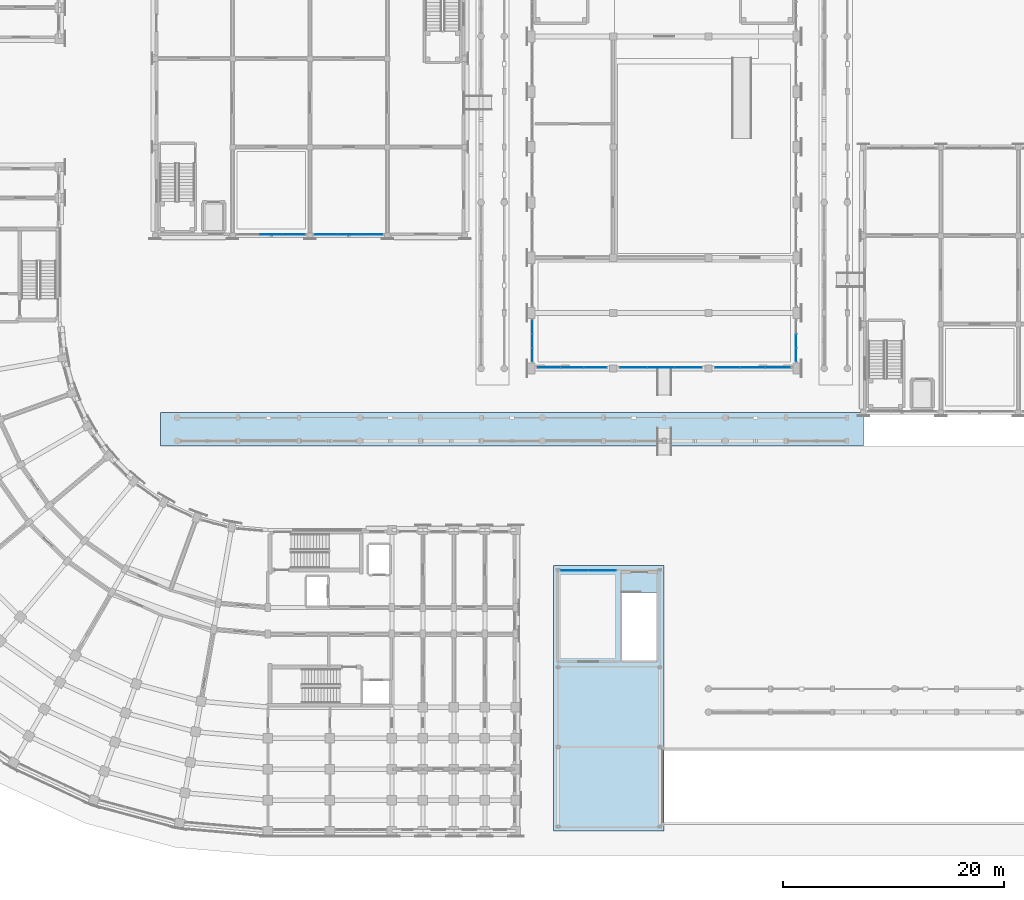
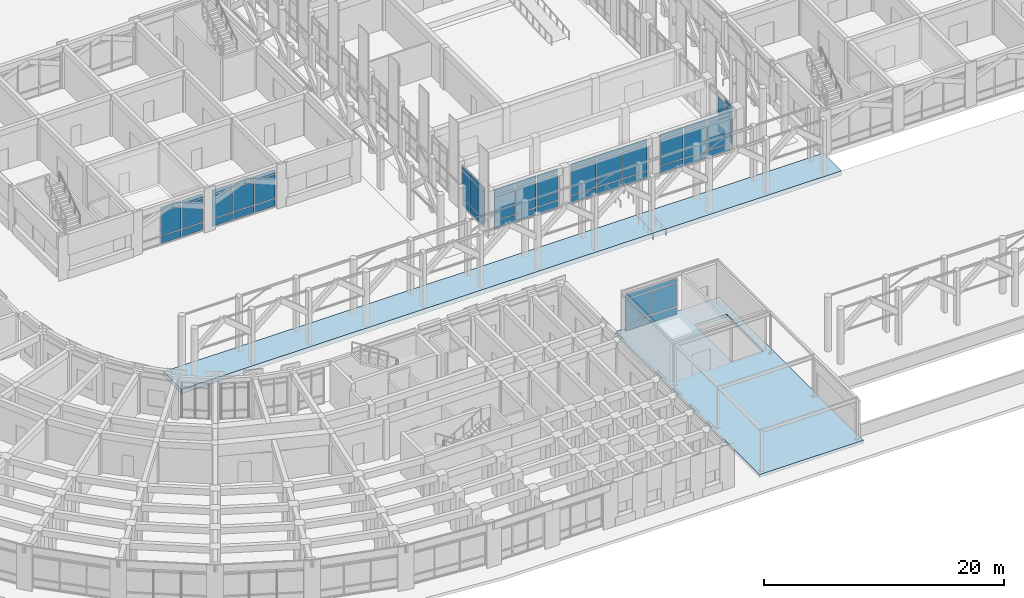
# One storey, part 60 of 135: 62 plates, 2 slabs, 8 elements without a shape of their own.
"""IFC4 building model written with IfcOpenShell, lengths in metres."""

from ifc_helpers import new_model, si_unit, direction, frame, origin, origin_2d, place, context, subcontext, project, spatial, polyline, rectangle, outline, extrude, material, layer, layer_set, type_object, element, aggregate, save


model = new_model("IFC4")

# Units and contexts
model_context = context("Model", 3, precision=1e-05, world=origin(), true_north=direction((0.0, 1.0)))
body_context = subcontext(model_context, "Body", "Model", "MODEL_VIEW")
ifc_project = project(units=[si_unit("LENGTHUNIT", "METRE"), si_unit("AREAUNIT", "SQUARE_METRE"), si_unit("VOLUMEUNIT", "CUBIC_METRE"), si_unit("PLANEANGLEUNIT", "RADIAN"), si_unit("MASSUNIT", "GRAM", prefix="KILO")], contexts=[model_context])

# Site, building, storey
site_placement = place(None, origin())
site = spatial("IfcSite", under=ifc_project, at=site_placement, CompositionType="ELEMENT")
building_placement = place(site_placement, origin())
building = spatial("IfcBuilding", under=site, at=building_placement, Name="Kiranvali Square Residences", CompositionType="ELEMENT")
storey_placement = place(building_placement, origin())
storey = spatial("IfcBuildingStorey", under=building, at=storey_placement, Name="L00", CompositionType="ELEMENT", Elevation=0.0)

# Curtain wall, plates
ifc_material_1 = material(Name="Anodised bronze aluminium framing", Category="aluminium")
curtain_wall_type_1 = type_object("IfcCurtainWallType", Name="CW-CH-GLZ", PredefinedType="USERDEFINED", material=ifc_material_1)
curtain_wall_1_placement = place(storey_placement, origin())
curtain_wall_1 = element("IfcCurtainWall", 1, at=curtain_wall_1_placement, inside=storey, type_object=curtain_wall_type_1, Name="Community Hall L00 W glazed arcade bay 1", ObjectType="CURTAIN WALL", PredefinedType="USERDEFINED")
ifc_material_2 = material(Name="Solar-control low-e double glazing", Category="glass")
ifc_layer_1 = layer(ifc_material_2, 0.028076171875)
ifc_layer_set_1 = layer_set([ifc_layer_1], Name="Solar-control low-e double glazing")
plate_type_1 = type_object("IfcPlateType", Name="PLT-CW-GLZ", PredefinedType="CURTAIN_PANEL", material=ifc_layer_set_1)
plate_1_placement = place(storey_placement, frame((72.080078125, 45.25341796875, 0.89013671875), z_axis=(0.0, 0.0, 1.0), x_axis=(0.0, 1.0, 0.0)))
plate_1 = element("IfcPlate", 2, at=plate_1_placement, type_object=plate_type_1, Name="CW-CH-L00-W1 glazed panel 1.2", PredefinedType="CURTAIN_PANEL", context=body_context, shape_type="SweptSolid", body=[
    extrude(rectangle(XDim=1.166748046875, YDim=0.028076171875, at=origin_2d()), origin(), (0.0, 0.0, 1.0), 2.699951171875),
])
plate_2_placement = place(storey_placement, frame((72.080078125, 45.25341796875, 3.669921875), z_axis=(0.0, 0.0, 1.0), x_axis=(0.0, 1.0, 0.0)))
plate_2 = element("IfcPlate", 3, at=plate_2_placement, type_object=plate_type_1, Name="CW-CH-L00-W1 glazed panel 1.3", PredefinedType="CURTAIN_PANEL", context=body_context, shape_type="SweptSolid", body=[
    extrude(rectangle(XDim=1.166748046875, YDim=0.028076171875, at=origin_2d()), origin(), (0.0, 0.0, 1.0), 0.429931640625),
])
plate_3_placement = place(storey_placement, frame((72.080078125, 46.5, 0.89013671875), z_axis=(0.0, 0.0, 1.0), x_axis=(0.0, 1.0, 0.0)))
plate_3 = element("IfcPlate", 4, at=plate_3_placement, type_object=plate_type_1, Name="CW-CH-L00-W1 glazed panel 2.2", PredefinedType="CURTAIN_PANEL", context=body_context, shape_type="SweptSolid", body=[
    extrude(rectangle(XDim=1.166748046875, YDim=0.028076171875, at=origin_2d()), origin(), (0.0, 0.0, 1.0), 2.699951171875),
])
plate_4_placement = place(storey_placement, frame((72.080078125, 46.5, 3.669921875), z_axis=(0.0, 0.0, 1.0), x_axis=(0.0, 1.0, 0.0)))
plate_4 = element("IfcPlate", 5, at=plate_4_placement, type_object=plate_type_1, Name="CW-CH-L00-W1 glazed panel 2.3", PredefinedType="CURTAIN_PANEL", context=body_context, shape_type="SweptSolid", body=[
    extrude(rectangle(XDim=1.166748046875, YDim=0.028076171875, at=origin_2d()), origin(), (0.0, 0.0, 1.0), 0.429931640625),
])
plate_5_placement = place(storey_placement, frame((72.080078125, 47.74658203125, 0.89013671875), z_axis=(0.0, 0.0, 1.0), x_axis=(0.0, 1.0, 0.0)))
plate_5 = element("IfcPlate", 6, at=plate_5_placement, type_object=plate_type_1, Name="CW-CH-L00-W1 glazed panel 3.2", PredefinedType="CURTAIN_PANEL", context=body_context, shape_type="SweptSolid", body=[
    extrude(rectangle(XDim=1.166748046875, YDim=0.028076171875, at=origin_2d()), origin(), (0.0, 0.0, 1.0), 2.699951171875),
])
plate_6_placement = place(storey_placement, frame((72.080078125, 47.74658203125, 3.669921875), z_axis=(0.0, 0.0, 1.0), x_axis=(0.0, 1.0, 0.0)))
plate_6 = element("IfcPlate", 7, at=plate_6_placement, type_object=plate_type_1, Name="CW-CH-L00-W1 glazed panel 3.3", PredefinedType="CURTAIN_PANEL", context=body_context, shape_type="SweptSolid", body=[
    extrude(rectangle(XDim=1.166748046875, YDim=0.028076171875, at=origin_2d()), origin(), (0.0, 0.0, 1.0), 0.429931640625),
])

curtain_wall_2_placement = place(storey_placement, origin())
curtain_wall_2 = element("IfcCurtainWall", 8, at=curtain_wall_2_placement, inside=storey, type_object=curtain_wall_type_1, Name="Community Hall L00 E glazed arcade bay 1", ObjectType="CURTAIN WALL", PredefinedType="USERDEFINED")
plate_7_placement = place(storey_placement, frame((95.919921875, 45.25341796875, 0.89013671875), z_axis=(0.0, 0.0, 1.0), x_axis=(0.0, 1.0, 0.0)))
plate_7 = element("IfcPlate", 9, at=plate_7_placement, type_object=plate_type_1, Name="CW-CH-L00-E1 glazed panel 1.2", PredefinedType="CURTAIN_PANEL", context=body_context, shape_type="SweptSolid", body=[
    extrude(rectangle(XDim=1.166748046875, YDim=0.028076171875, at=origin_2d()), origin(), (0.0, 0.0, 1.0), 2.699951171875),
])
plate_8_placement = place(storey_placement, frame((95.919921875, 45.25341796875, 3.669921875), z_axis=(0.0, 0.0, 1.0), x_axis=(0.0, 1.0, 0.0)))
plate_8 = element("IfcPlate", 10, at=plate_8_placement, type_object=plate_type_1, Name="CW-CH-L00-E1 glazed panel 1.3", PredefinedType="CURTAIN_PANEL", context=body_context, shape_type="SweptSolid", body=[
    extrude(rectangle(XDim=1.166748046875, YDim=0.028076171875, at=origin_2d()), origin(), (0.0, 0.0, 1.0), 0.429931640625),
])
plate_9_placement = place(storey_placement, frame((95.919921875, 46.5, 0.89013671875), z_axis=(0.0, 0.0, 1.0), x_axis=(0.0, 1.0, 0.0)))
plate_9 = element("IfcPlate", 11, at=plate_9_placement, type_object=plate_type_1, Name="CW-CH-L00-E1 glazed panel 2.2", PredefinedType="CURTAIN_PANEL", context=body_context, shape_type="SweptSolid", body=[
    extrude(rectangle(XDim=1.166748046875, YDim=0.028076171875, at=origin_2d()), origin(), (0.0, 0.0, 1.0), 2.699951171875),
])

curtain_wall_3_placement = place(storey_placement, origin())
curtain_wall_3 = element("IfcCurtainWall", 12, at=curtain_wall_3_placement, inside=storey, type_object=curtain_wall_type_1, Name="Community Hall S entrance portal bay 1", ObjectType="CURTAIN WALL", PredefinedType="USERDEFINED")
plate_10_placement = place(storey_placement, frame((73.63330078125, 44.080078125, 0.89013671875), z_axis=(0.0, 0.0, 1.0), x_axis=(1.0, 0.0, 0.0)))
plate_10 = element("IfcPlate", 13, at=plate_10_placement, type_object=plate_type_1, Name="CW-CH-GAB-S0-1 glazed panel 1.2", PredefinedType="CURTAIN_PANEL", context=body_context, shape_type="SweptSolid", body=[
    extrude(rectangle(XDim=1.98681640625, YDim=0.028076171875, at=origin_2d()), origin(), (0.0, 0.0, 1.0), 2.699951171875),
])
plate_11_placement = place(storey_placement, frame((73.63330078125, 44.080078125, 3.669921875), z_axis=(0.0, 0.0, 1.0), x_axis=(1.0, 0.0, 0.0)))
plate_11 = element("IfcPlate", 14, at=plate_11_placement, type_object=plate_type_1, Name="CW-CH-GAB-S0-1 glazed panel 1.3", PredefinedType="CURTAIN_PANEL", context=body_context, shape_type="SweptSolid", body=[
    extrude(rectangle(XDim=1.98681640625, YDim=0.028076171875, at=origin_2d()), origin(), (0.0, 0.0, 1.0), 0.429931640625),
])
plate_12_placement = place(storey_placement, frame((75.699951171875, 44.080078125, 0.89013671875), z_axis=(0.0, 0.0, 1.0), x_axis=(1.0, 0.0, 0.0)))
plate_12 = element("IfcPlate", 15, at=plate_12_placement, type_object=plate_type_1, Name="CW-CH-GAB-S0-1 glazed panel 2.2", PredefinedType="CURTAIN_PANEL", context=body_context, shape_type="SweptSolid", body=[
    extrude(rectangle(XDim=1.98681640625, YDim=0.028076171875, at=origin_2d()), origin(), (0.0, 0.0, 1.0), 2.699951171875),
])
plate_13_placement = place(storey_placement, frame((75.699951171875, 44.080078125, 3.669921875), z_axis=(0.0, 0.0, 1.0), x_axis=(1.0, 0.0, 0.0)))
plate_13 = element("IfcPlate", 16, at=plate_13_placement, type_object=plate_type_1, Name="CW-CH-GAB-S0-1 glazed panel 2.3", PredefinedType="CURTAIN_PANEL", context=body_context, shape_type="SweptSolid", body=[
    extrude(rectangle(XDim=1.98681640625, YDim=0.028076171875, at=origin_2d()), origin(), (0.0, 0.0, 1.0), 0.429931640625),
])
plate_14_placement = place(storey_placement, frame((77.7666015625, 44.080078125, 0.89013671875), z_axis=(0.0, 0.0, 1.0), x_axis=(1.0, 0.0, 0.0)))
plate_14 = element("IfcPlate", 17, at=plate_14_placement, type_object=plate_type_1, Name="CW-CH-GAB-S0-1 glazed panel 3.2", PredefinedType="CURTAIN_PANEL", context=body_context, shape_type="SweptSolid", body=[
    extrude(rectangle(XDim=1.98681640625, YDim=0.028076171875, at=origin_2d()), origin(), (0.0, 0.0, 1.0), 2.699951171875),
])
plate_15_placement = place(storey_placement, frame((77.7666015625, 44.080078125, 3.669921875), z_axis=(0.0, 0.0, 1.0), x_axis=(1.0, 0.0, 0.0)))
plate_15 = element("IfcPlate", 18, at=plate_15_placement, type_object=plate_type_1, Name="CW-CH-GAB-S0-1 glazed panel 3.3", PredefinedType="CURTAIN_PANEL", context=body_context, shape_type="SweptSolid", body=[
    extrude(rectangle(XDim=1.98681640625, YDim=0.028076171875, at=origin_2d()), origin(), (0.0, 0.0, 1.0), 0.429931640625),
])

curtain_wall_4_placement = place(storey_placement, origin())
curtain_wall_4 = element("IfcCurtainWall", 19, at=curtain_wall_4_placement, inside=storey, type_object=curtain_wall_type_1, Name="Community Hall S entrance portal bay 2", ObjectType="CURTAIN WALL", PredefinedType="USERDEFINED")
plate_16_placement = place(storey_placement, frame((81.2333984375, 44.080078125, 0.89013671875), z_axis=(0.0, 0.0, 1.0), x_axis=(1.0, 0.0, 0.0)))
plate_16 = element("IfcPlate", 20, at=plate_16_placement, type_object=plate_type_1, Name="CW-CH-GAB-S0-2 glazed panel 1.2", PredefinedType="CURTAIN_PANEL", context=body_context, shape_type="SweptSolid", body=[
    extrude(rectangle(XDim=2.38671875, YDim=0.028076171875, at=origin_2d()), origin(), (0.0, 0.0, 1.0), 2.699951171875),
])
plate_17_placement = place(storey_placement, frame((81.2333984375, 44.080078125, 3.669921875), z_axis=(0.0, 0.0, 1.0), x_axis=(1.0, 0.0, 0.0)))
plate_17 = element("IfcPlate", 21, at=plate_17_placement, type_object=plate_type_1, Name="CW-CH-GAB-S0-2 glazed panel 1.3", PredefinedType="CURTAIN_PANEL", context=body_context, shape_type="SweptSolid", body=[
    extrude(rectangle(XDim=2.38671875, YDim=0.028076171875, at=origin_2d()), origin(), (0.0, 0.0, 1.0), 0.429931640625),
])
plate_18_placement = place(storey_placement, frame((83.699951171875, 44.080078125, 0.89013671875), z_axis=(0.0, 0.0, 1.0), x_axis=(1.0, 0.0, 0.0)))
plate_18 = element("IfcPlate", 22, at=plate_18_placement, type_object=plate_type_1, Name="CW-CH-GAB-S0-2 glazed panel 2.2", PredefinedType="CURTAIN_PANEL", context=body_context, shape_type="SweptSolid", body=[
    extrude(rectangle(XDim=2.38671875, YDim=0.028076171875, at=origin_2d()), origin(), (0.0, 0.0, 1.0), 2.699951171875),
])
plate_19_placement = place(storey_placement, frame((83.699951171875, 44.080078125, 3.669921875), z_axis=(0.0, 0.0, 1.0), x_axis=(1.0, 0.0, 0.0)))
plate_19 = element("IfcPlate", 23, at=plate_19_placement, type_object=plate_type_1, Name="CW-CH-GAB-S0-2 glazed panel 2.3", PredefinedType="CURTAIN_PANEL", context=body_context, shape_type="SweptSolid", body=[
    extrude(rectangle(XDim=2.38671875, YDim=0.028076171875, at=origin_2d()), origin(), (0.0, 0.0, 1.0), 0.429931640625),
])
plate_20_placement = place(storey_placement, frame((86.166748046875, 44.080078125, 0.89013671875), z_axis=(0.0, 0.0, 1.0), x_axis=(1.0, 0.0, 0.0)))
plate_20 = element("IfcPlate", 24, at=plate_20_placement, type_object=plate_type_1, Name="CW-CH-GAB-S0-2 glazed panel 3.2", PredefinedType="CURTAIN_PANEL", context=body_context, shape_type="SweptSolid", body=[
    extrude(rectangle(XDim=2.38671875, YDim=0.028076171875, at=origin_2d()), origin(), (0.0, 0.0, 1.0), 2.699951171875),
])
plate_21_placement = place(storey_placement, frame((86.166748046875, 44.080078125, 3.669921875), z_axis=(0.0, 0.0, 1.0), x_axis=(1.0, 0.0, 0.0)))
plate_21 = element("IfcPlate", 25, at=plate_21_placement, type_object=plate_type_1, Name="CW-CH-GAB-S0-2 glazed panel 3.3", PredefinedType="CURTAIN_PANEL", context=body_context, shape_type="SweptSolid", body=[
    extrude(rectangle(XDim=2.38671875, YDim=0.028076171875, at=origin_2d()), origin(), (0.0, 0.0, 1.0), 0.429931640625),
])

curtain_wall_5_placement = place(storey_placement, origin())
curtain_wall_5 = element("IfcCurtainWall", 26, at=curtain_wall_5_placement, inside=storey, type_object=curtain_wall_type_1, Name="Community Hall S entrance portal bay 3", ObjectType="CURTAIN WALL", PredefinedType="USERDEFINED")
plate_22_placement = place(storey_placement, frame((89.7333984375, 44.080078125, 0.89013671875), z_axis=(0.0, 0.0, 1.0), x_axis=(1.0, 0.0, 0.0)))
plate_22 = element("IfcPlate", 27, at=plate_22_placement, type_object=plate_type_1, Name="CW-CH-GAB-S0-3 glazed panel 1.2", PredefinedType="CURTAIN_PANEL", context=body_context, shape_type="SweptSolid", body=[
    extrude(rectangle(XDim=2.186767578125, YDim=0.028076171875, at=origin_2d()), origin(), (0.0, 0.0, 1.0), 2.699951171875),
])
plate_23_placement = place(storey_placement, frame((89.7333984375, 44.080078125, 3.669921875), z_axis=(0.0, 0.0, 1.0), x_axis=(1.0, 0.0, 0.0)))
plate_23 = element("IfcPlate", 28, at=plate_23_placement, type_object=plate_type_1, Name="CW-CH-GAB-S0-3 glazed panel 1.3", PredefinedType="CURTAIN_PANEL", context=body_context, shape_type="SweptSolid", body=[
    extrude(rectangle(XDim=2.186767578125, YDim=0.028076171875, at=origin_2d()), origin(), (0.0, 0.0, 1.0), 0.429931640625),
])
plate_24_placement = place(storey_placement, frame((92.0, 44.080078125, 0.89013671875), z_axis=(0.0, 0.0, 1.0), x_axis=(1.0, 0.0, 0.0)))
plate_24 = element("IfcPlate", 29, at=plate_24_placement, type_object=plate_type_1, Name="CW-CH-GAB-S0-3 glazed panel 2.2", PredefinedType="CURTAIN_PANEL", context=body_context, shape_type="SweptSolid", body=[
    extrude(rectangle(XDim=2.186767578125, YDim=0.028076171875, at=origin_2d()), origin(), (0.0, 0.0, 1.0), 2.699951171875),
])
plate_25_placement = place(storey_placement, frame((92.0, 44.080078125, 3.669921875), z_axis=(0.0, 0.0, 1.0), x_axis=(1.0, 0.0, 0.0)))
plate_25 = element("IfcPlate", 30, at=plate_25_placement, type_object=plate_type_1, Name="CW-CH-GAB-S0-3 glazed panel 2.3", PredefinedType="CURTAIN_PANEL", context=body_context, shape_type="SweptSolid", body=[
    extrude(rectangle(XDim=2.186767578125, YDim=0.028076171875, at=origin_2d()), origin(), (0.0, 0.0, 1.0), 0.429931640625),
])
plate_26_placement = place(storey_placement, frame((94.2666015625, 44.080078125, 0.89013671875), z_axis=(0.0, 0.0, 1.0), x_axis=(1.0, 0.0, 0.0)))
plate_26 = element("IfcPlate", 31, at=plate_26_placement, type_object=plate_type_1, Name="CW-CH-GAB-S0-3 glazed panel 3.2", PredefinedType="CURTAIN_PANEL", context=body_context, shape_type="SweptSolid", body=[
    extrude(rectangle(XDim=2.186767578125, YDim=0.028076171875, at=origin_2d()), origin(), (0.0, 0.0, 1.0), 2.699951171875),
])
plate_27_placement = place(storey_placement, frame((94.2666015625, 44.080078125, 3.669921875), z_axis=(0.0, 0.0, 1.0), x_axis=(1.0, 0.0, 0.0)))
plate_27 = element("IfcPlate", 32, at=plate_27_placement, type_object=plate_type_1, Name="CW-CH-GAB-S0-3 glazed panel 3.3", PredefinedType="CURTAIN_PANEL", context=body_context, shape_type="SweptSolid", body=[
    extrude(rectangle(XDim=2.186767578125, YDim=0.028076171875, at=origin_2d()), origin(), (0.0, 0.0, 1.0), 0.429931640625),
])

curtain_wall_type_2 = type_object("IfcCurtainWallType", Name="CW-PAV-GLZ", PredefinedType="USERDEFINED", material=ifc_material_1)
curtain_wall_6_placement = place(storey_placement, origin())
curtain_wall_6 = element("IfcCurtainWall", 33, at=curtain_wall_6_placement, inside=storey, type_object=curtain_wall_type_2, Name="Nursery Pavilion south arcade curtain wall 2", ObjectType="CURTAIN WALL", PredefinedType="USERDEFINED")
plate_28_placement = place(storey_placement, frame((48.5, 56.10009765625, 0.889892578125), z_axis=(0.0, 0.0, 1.0), x_axis=(1.0, 0.0, 0.0)))
plate_28 = element("IfcPlate", 34, at=plate_28_placement, type_object=plate_type_1, Name="CW-NR-S0-1 glazed panel 2.2", PredefinedType="CURTAIN_PANEL", context=body_context, shape_type="SweptSolid", body=[
    extrude(rectangle(XDim=1.966796875, YDim=0.028076171875, at=origin_2d()), origin(), (0.0, 0.0, 1.0), 2.3701171875),
])
plate_29_placement = place(storey_placement, frame((48.5, 56.10009765625, 3.33984375), z_axis=(0.0, 0.0, 1.0), x_axis=(1.0, 0.0, 0.0)))
plate_29 = element("IfcPlate", 35, at=plate_29_placement, type_object=plate_type_1, Name="CW-NR-S0-1 glazed panel 2.3", PredefinedType="CURTAIN_PANEL", context=body_context, shape_type="SweptSolid", body=[
    extrude(rectangle(XDim=1.966796875, YDim=0.028076171875, at=origin_2d()), origin(), (0.0, 0.0, 1.0), 0.429931640625),
])
plate_30_placement = place(storey_placement, frame((50.546630859375, 56.10009765625, 0.889892578125), z_axis=(0.0, 0.0, 1.0), x_axis=(1.0, 0.0, 0.0)))
plate_30 = element("IfcPlate", 36, at=plate_30_placement, type_object=plate_type_1, Name="CW-NR-S0-1 glazed panel 3.2", PredefinedType="CURTAIN_PANEL", context=body_context, shape_type="SweptSolid", body=[
    extrude(rectangle(XDim=1.966796875, YDim=0.028076171875, at=origin_2d()), origin(), (0.0, 0.0, 1.0), 2.3701171875),
])
plate_31_placement = place(storey_placement, frame((50.546630859375, 56.10009765625, 3.33984375), z_axis=(0.0, 0.0, 1.0), x_axis=(1.0, 0.0, 0.0)))
plate_31 = element("IfcPlate", 37, at=plate_31_placement, type_object=plate_type_1, Name="CW-NR-S0-1 glazed panel 3.3", PredefinedType="CURTAIN_PANEL", context=body_context, shape_type="SweptSolid", body=[
    extrude(rectangle(XDim=1.966796875, YDim=0.028076171875, at=origin_2d()), origin(), (0.0, 0.0, 1.0), 0.429931640625),
])

curtain_wall_7_placement = place(storey_placement, origin())
curtain_wall_7 = element("IfcCurtainWall", 38, at=curtain_wall_7_placement, inside=storey, type_object=curtain_wall_type_2, Name="Nursery Pavilion south arcade curtain wall 3", ObjectType="CURTAIN WALL", PredefinedType="USERDEFINED")
plate_32_placement = place(storey_placement, frame((53.453369140625, 56.10009765625, 0.889892578125), z_axis=(0.0, 0.0, 1.0), x_axis=(1.0, 0.0, 0.0)))
plate_32 = element("IfcPlate", 39, at=plate_32_placement, type_object=plate_type_1, Name="CW-NR-S0-2 glazed panel 1.2", PredefinedType="CURTAIN_PANEL", context=body_context, shape_type="SweptSolid", body=[
    extrude(rectangle(XDim=1.966796875, YDim=0.028076171875, at=origin_2d()), origin(), (0.0, 0.0, 1.0), 2.3701171875),
])
plate_33_placement = place(storey_placement, frame((53.453369140625, 56.10009765625, 3.33984375), z_axis=(0.0, 0.0, 1.0), x_axis=(1.0, 0.0, 0.0)))
plate_33 = element("IfcPlate", 40, at=plate_33_placement, type_object=plate_type_1, Name="CW-NR-S0-2 glazed panel 1.3", PredefinedType="CURTAIN_PANEL", context=body_context, shape_type="SweptSolid", body=[
    extrude(rectangle(XDim=1.966796875, YDim=0.028076171875, at=origin_2d()), origin(), (0.0, 0.0, 1.0), 0.429931640625),
])
plate_34_placement = place(storey_placement, frame((55.5, 56.10009765625, 0.889892578125), z_axis=(0.0, 0.0, 1.0), x_axis=(1.0, 0.0, 0.0)))
plate_34 = element("IfcPlate", 41, at=plate_34_placement, type_object=plate_type_1, Name="CW-NR-S0-2 glazed panel 2.2", PredefinedType="CURTAIN_PANEL", context=body_context, shape_type="SweptSolid", body=[
    extrude(rectangle(XDim=1.966796875, YDim=0.028076171875, at=origin_2d()), origin(), (0.0, 0.0, 1.0), 2.3701171875),
])
plate_35_placement = place(storey_placement, frame((55.5, 56.10009765625, 3.33984375), z_axis=(0.0, 0.0, 1.0), x_axis=(1.0, 0.0, 0.0)))
plate_35 = element("IfcPlate", 42, at=plate_35_placement, type_object=plate_type_1, Name="CW-NR-S0-2 glazed panel 2.3", PredefinedType="CURTAIN_PANEL", context=body_context, shape_type="SweptSolid", body=[
    extrude(rectangle(XDim=1.966796875, YDim=0.028076171875, at=origin_2d()), origin(), (0.0, 0.0, 1.0), 0.429931640625),
])
plate_36_placement = place(storey_placement, frame((57.546630859375, 56.10009765625, 0.889892578125), z_axis=(0.0, 0.0, 1.0), x_axis=(1.0, 0.0, 0.0)))
plate_36 = element("IfcPlate", 43, at=plate_36_placement, type_object=plate_type_1, Name="CW-NR-S0-2 glazed panel 3.2", PredefinedType="CURTAIN_PANEL", context=body_context, shape_type="SweptSolid", body=[
    extrude(rectangle(XDim=1.966796875, YDim=0.028076171875, at=origin_2d()), origin(), (0.0, 0.0, 1.0), 2.3701171875),
])
plate_37_placement = place(storey_placement, frame((57.546630859375, 56.10009765625, 3.33984375), z_axis=(0.0, 0.0, 1.0), x_axis=(1.0, 0.0, 0.0)))
plate_37 = element("IfcPlate", 44, at=plate_37_placement, type_object=plate_type_1, Name="CW-NR-S0-2 glazed panel 3.3", PredefinedType="CURTAIN_PANEL", context=body_context, shape_type="SweptSolid", body=[
    extrude(rectangle(XDim=1.966796875, YDim=0.028076171875, at=origin_2d()), origin(), (0.0, 0.0, 1.0), 0.429931640625),
])

curtain_wall_type_3 = type_object("IfcCurtainWallType", Name="CW-RET-SHOP", PredefinedType="USERDEFINED", material=ifc_material_1)
curtain_wall_8_placement = place(storey_placement, origin())
curtain_wall_8 = element("IfcCurtainWall", 45, at=curtain_wall_8_placement, inside=storey, type_object=curtain_wall_type_3, Name="Fire Command and Estate Control Room North Glazed Front", ObjectType="CURTAIN WALL", PredefinedType="USERDEFINED")
plate_38_placement = place(storey_placement, frame((75.89990234375, 25.75, 0.889892578125), z_axis=(0.0, 0.0, 1.0), x_axis=(1.0, 0.0, 0.0)))
plate_38 = element("IfcPlate", 46, at=plate_38_placement, type_object=plate_type_1, Name="CW-KSK-S-1 glazed panel 1.2", PredefinedType="CURTAIN_PANEL", context=body_context, shape_type="SweptSolid", body=[
    extrude(rectangle(XDim=2.419921875, YDim=0.028076171875, at=origin_2d()), origin(), (0.0, 0.0, 1.0), 2.3701171875),
])
plate_39_placement = place(storey_placement, frame((75.89990234375, 25.75, 3.33984375), z_axis=(0.0, 0.0, 1.0), x_axis=(1.0, 0.0, 0.0)))
plate_39 = element("IfcPlate", 47, at=plate_39_placement, type_object=plate_type_1, Name="CW-KSK-S-1 glazed panel 1.3", PredefinedType="CURTAIN_PANEL", context=body_context, shape_type="SweptSolid", body=[
    extrude(rectangle(XDim=2.419921875, YDim=0.028076171875, at=origin_2d()), origin(), (0.0, 0.0, 1.0), 0.429931640625),
])
plate_40_placement = place(storey_placement, frame((78.39990234375, 25.75, 0.889892578125), z_axis=(0.0, 0.0, 1.0), x_axis=(1.0, 0.0, 0.0)))
plate_40 = element("IfcPlate", 48, at=plate_40_placement, type_object=plate_type_1, Name="CW-KSK-S-1 glazed panel 2.2", PredefinedType="CURTAIN_PANEL", context=body_context, shape_type="SweptSolid", body=[
    extrude(rectangle(XDim=2.419921875, YDim=0.028076171875, at=origin_2d()), origin(), (0.0, 0.0, 1.0), 2.3701171875),
])
plate_41_placement = place(storey_placement, frame((78.39990234375, 25.75, 3.33984375), z_axis=(0.0, 0.0, 1.0), x_axis=(1.0, 0.0, 0.0)))
plate_41 = element("IfcPlate", 49, at=plate_41_placement, type_object=plate_type_1, Name="CW-KSK-S-1 glazed panel 2.3", PredefinedType="CURTAIN_PANEL", context=body_context, shape_type="SweptSolid", body=[
    extrude(rectangle(XDim=2.419921875, YDim=0.028076171875, at=origin_2d()), origin(), (0.0, 0.0, 1.0), 0.429931640625),
])

# Plate
ifc_material_3 = material(Name="Honed Porbandar limestone ashlar facade cladding", Category="masonry")
ifc_layer_2 = layer(ifc_material_3, 0.02392578125)
ifc_layer_set_2 = layer_set([ifc_layer_2], Name="Honed Porbandar limestone ashlar facade cladding")
plate_type_2 = type_object("IfcPlateType", Name="PLT-CW-SPN", PredefinedType="SHEET", material=ifc_layer_set_2)
plate_42_placement = place(storey_placement, frame((72.080078125, 45.25341796875, 0.080078125), z_axis=(0.0, 0.0, 1.0), x_axis=(0.0, 1.0, 0.0)))
plate_42 = element("IfcPlate", 50, at=plate_42_placement, type_object=plate_type_2, Name="CW-CH-L00-W1 spandrel panel 1.1", PredefinedType="SHEET", context=body_context, shape_type="SweptSolid", body=[
    extrude(rectangle(XDim=1.166748046875, YDim=0.02392578125, at=origin_2d()), origin(), (0.0, 0.0, 1.0), 0.72998046875),
])

plate_43_placement = place(storey_placement, frame((72.080078125, 46.5, 0.080078125), z_axis=(0.0, 0.0, 1.0), x_axis=(0.0, 1.0, 0.0)))
plate_43 = element("IfcPlate", 51, at=plate_43_placement, type_object=plate_type_2, Name="CW-CH-L00-W1 spandrel panel 2.1", PredefinedType="SHEET", context=body_context, shape_type="SweptSolid", body=[
    extrude(rectangle(XDim=1.166748046875, YDim=0.02392578125, at=origin_2d()), origin(), (0.0, 0.0, 1.0), 0.72998046875),
])

plate_44_placement = place(storey_placement, frame((72.080078125, 47.74658203125, 0.080078125), z_axis=(0.0, 0.0, 1.0), x_axis=(0.0, 1.0, 0.0)))
plate_44 = element("IfcPlate", 52, at=plate_44_placement, type_object=plate_type_2, Name="CW-CH-L00-W1 spandrel panel 3.1", PredefinedType="SHEET", context=body_context, shape_type="SweptSolid", body=[
    extrude(rectangle(XDim=1.166748046875, YDim=0.02392578125, at=origin_2d()), origin(), (0.0, 0.0, 1.0), 0.72998046875),
])

aggregate(curtain_wall_1, [plate_42, plate_1, plate_2, plate_43, plate_3, plate_4, plate_44, plate_5, plate_6])

plate_45_placement = place(storey_placement, frame((95.919921875, 45.25341796875, 0.080078125), z_axis=(0.0, 0.0, 1.0), x_axis=(0.0, 1.0, 0.0)))
plate_45 = element("IfcPlate", 53, at=plate_45_placement, type_object=plate_type_2, Name="CW-CH-L00-E1 spandrel panel 1.1", PredefinedType="SHEET", context=body_context, shape_type="SweptSolid", body=[
    extrude(rectangle(XDim=1.166748046875, YDim=0.02392578125, at=origin_2d()), origin(), (0.0, 0.0, 1.0), 0.72998046875),
])

plate_46_placement = place(storey_placement, frame((95.919921875, 46.5, 0.080078125), z_axis=(0.0, 0.0, 1.0), x_axis=(0.0, 1.0, 0.0)))
plate_46 = element("IfcPlate", 54, at=plate_46_placement, type_object=plate_type_2, Name="CW-CH-L00-E1 spandrel panel 2.1", PredefinedType="SHEET", context=body_context, shape_type="SweptSolid", body=[
    extrude(rectangle(XDim=1.166748046875, YDim=0.02392578125, at=origin_2d()), origin(), (0.0, 0.0, 1.0), 0.72998046875),
])

aggregate(curtain_wall_2, [plate_45, plate_7, plate_8, plate_46, plate_9])

plate_47_placement = place(storey_placement, frame((73.63330078125, 44.080078125, 0.080078125), z_axis=(0.0, 0.0, 1.0), x_axis=(1.0, 0.0, 0.0)))
plate_47 = element("IfcPlate", 55, at=plate_47_placement, type_object=plate_type_2, Name="CW-CH-GAB-S0-1 spandrel panel 1.1", PredefinedType="SHEET", context=body_context, shape_type="SweptSolid", body=[
    extrude(rectangle(XDim=1.98681640625, YDim=0.02392578125, at=origin_2d()), origin(), (0.0, 0.0, 1.0), 0.72998046875),
])

plate_48_placement = place(storey_placement, frame((75.699951171875, 44.080078125, 0.080078125), z_axis=(0.0, 0.0, 1.0), x_axis=(1.0, 0.0, 0.0)))
plate_48 = element("IfcPlate", 56, at=plate_48_placement, type_object=plate_type_2, Name="CW-CH-GAB-S0-1 spandrel panel 2.1", PredefinedType="SHEET", context=body_context, shape_type="SweptSolid", body=[
    extrude(rectangle(XDim=1.98681640625, YDim=0.02392578125, at=origin_2d()), origin(), (0.0, 0.0, 1.0), 0.72998046875),
])

plate_49_placement = place(storey_placement, frame((77.7666015625, 44.080078125, 0.080078125), z_axis=(0.0, 0.0, 1.0), x_axis=(1.0, 0.0, 0.0)))
plate_49 = element("IfcPlate", 57, at=plate_49_placement, type_object=plate_type_2, Name="CW-CH-GAB-S0-1 spandrel panel 3.1", PredefinedType="SHEET", context=body_context, shape_type="SweptSolid", body=[
    extrude(rectangle(XDim=1.98681640625, YDim=0.02392578125, at=origin_2d()), origin(), (0.0, 0.0, 1.0), 0.72998046875),
])

aggregate(curtain_wall_3, [plate_47, plate_10, plate_11, plate_48, plate_12, plate_13, plate_49, plate_14, plate_15])

plate_50_placement = place(storey_placement, frame((81.2333984375, 44.080078125, 0.080078125), z_axis=(0.0, 0.0, 1.0), x_axis=(1.0, 0.0, 0.0)))
plate_50 = element("IfcPlate", 58, at=plate_50_placement, type_object=plate_type_2, Name="CW-CH-GAB-S0-2 spandrel panel 1.1", PredefinedType="SHEET", context=body_context, shape_type="SweptSolid", body=[
    extrude(rectangle(XDim=2.38671875, YDim=0.02392578125, at=origin_2d()), origin(), (0.0, 0.0, 1.0), 0.72998046875),
])

plate_51_placement = place(storey_placement, frame((83.699951171875, 44.080078125, 0.080078125), z_axis=(0.0, 0.0, 1.0), x_axis=(1.0, 0.0, 0.0)))
plate_51 = element("IfcPlate", 59, at=plate_51_placement, type_object=plate_type_2, Name="CW-CH-GAB-S0-2 spandrel panel 2.1", PredefinedType="SHEET", context=body_context, shape_type="SweptSolid", body=[
    extrude(rectangle(XDim=2.38671875, YDim=0.02392578125, at=origin_2d()), origin(), (0.0, 0.0, 1.0), 0.72998046875),
])

plate_52_placement = place(storey_placement, frame((86.166748046875, 44.080078125, 0.080078125), z_axis=(0.0, 0.0, 1.0), x_axis=(1.0, 0.0, 0.0)))
plate_52 = element("IfcPlate", 60, at=plate_52_placement, type_object=plate_type_2, Name="CW-CH-GAB-S0-2 spandrel panel 3.1", PredefinedType="SHEET", context=body_context, shape_type="SweptSolid", body=[
    extrude(rectangle(XDim=2.38671875, YDim=0.02392578125, at=origin_2d()), origin(), (0.0, 0.0, 1.0), 0.72998046875),
])

aggregate(curtain_wall_4, [plate_50, plate_16, plate_17, plate_51, plate_18, plate_19, plate_52, plate_20, plate_21])

plate_53_placement = place(storey_placement, frame((89.7333984375, 44.080078125, 0.080078125), z_axis=(0.0, 0.0, 1.0), x_axis=(1.0, 0.0, 0.0)))
plate_53 = element("IfcPlate", 61, at=plate_53_placement, type_object=plate_type_2, Name="CW-CH-GAB-S0-3 spandrel panel 1.1", PredefinedType="SHEET", context=body_context, shape_type="SweptSolid", body=[
    extrude(rectangle(XDim=2.186767578125, YDim=0.02392578125, at=origin_2d()), origin(), (0.0, 0.0, 1.0), 0.72998046875),
])

plate_54_placement = place(storey_placement, frame((92.0, 44.080078125, 0.080078125), z_axis=(0.0, 0.0, 1.0), x_axis=(1.0, 0.0, 0.0)))
plate_54 = element("IfcPlate", 62, at=plate_54_placement, type_object=plate_type_2, Name="CW-CH-GAB-S0-3 spandrel panel 2.1", PredefinedType="SHEET", context=body_context, shape_type="SweptSolid", body=[
    extrude(rectangle(XDim=2.186767578125, YDim=0.02392578125, at=origin_2d()), origin(), (0.0, 0.0, 1.0), 0.72998046875),
])

plate_55_placement = place(storey_placement, frame((94.2666015625, 44.080078125, 0.080078125), z_axis=(0.0, 0.0, 1.0), x_axis=(1.0, 0.0, 0.0)))
plate_55 = element("IfcPlate", 63, at=plate_55_placement, type_object=plate_type_2, Name="CW-CH-GAB-S0-3 spandrel panel 3.1", PredefinedType="SHEET", context=body_context, shape_type="SweptSolid", body=[
    extrude(rectangle(XDim=2.186767578125, YDim=0.02392578125, at=origin_2d()), origin(), (0.0, 0.0, 1.0), 0.72998046875),
])

aggregate(curtain_wall_5, [plate_53, plate_22, plate_23, plate_54, plate_24, plate_25, plate_55, plate_26, plate_27])

plate_56_placement = place(storey_placement, frame((48.5, 56.10009765625, 0.080078125), z_axis=(0.0, 0.0, 1.0), x_axis=(1.0, 0.0, 0.0)))
plate_56 = element("IfcPlate", 64, at=plate_56_placement, type_object=plate_type_2, Name="CW-NR-S0-1 spandrel panel 2.1", PredefinedType="SHEET", context=body_context, shape_type="SweptSolid", body=[
    extrude(rectangle(XDim=1.966796875, YDim=0.02392578125, at=origin_2d()), origin(), (0.0, 0.0, 1.0), 0.72998046875),
])

plate_57_placement = place(storey_placement, frame((50.546630859375, 56.10009765625, 0.080078125), z_axis=(0.0, 0.0, 1.0), x_axis=(1.0, 0.0, 0.0)))
plate_57 = element("IfcPlate", 65, at=plate_57_placement, type_object=plate_type_2, Name="CW-NR-S0-1 spandrel panel 3.1", PredefinedType="SHEET", context=body_context, shape_type="SweptSolid", body=[
    extrude(rectangle(XDim=1.966796875, YDim=0.02392578125, at=origin_2d()), origin(), (0.0, 0.0, 1.0), 0.72998046875),
])

aggregate(curtain_wall_6, [plate_56, plate_28, plate_29, plate_57, plate_30, plate_31])

plate_58_placement = place(storey_placement, frame((53.453369140625, 56.10009765625, 0.080078125), z_axis=(0.0, 0.0, 1.0), x_axis=(1.0, 0.0, 0.0)))
plate_58 = element("IfcPlate", 66, at=plate_58_placement, type_object=plate_type_2, Name="CW-NR-S0-2 spandrel panel 1.1", PredefinedType="SHEET", context=body_context, shape_type="SweptSolid", body=[
    extrude(rectangle(XDim=1.966796875, YDim=0.02392578125, at=origin_2d()), origin(), (0.0, 0.0, 1.0), 0.72998046875),
])

plate_59_placement = place(storey_placement, frame((55.5, 56.10009765625, 0.080078125), z_axis=(0.0, 0.0, 1.0), x_axis=(1.0, 0.0, 0.0)))
plate_59 = element("IfcPlate", 67, at=plate_59_placement, type_object=plate_type_2, Name="CW-NR-S0-2 spandrel panel 2.1", PredefinedType="SHEET", context=body_context, shape_type="SweptSolid", body=[
    extrude(rectangle(XDim=1.966796875, YDim=0.02392578125, at=origin_2d()), origin(), (0.0, 0.0, 1.0), 0.72998046875),
])

plate_60_placement = place(storey_placement, frame((57.546630859375, 56.10009765625, 0.080078125), z_axis=(0.0, 0.0, 1.0), x_axis=(1.0, 0.0, 0.0)))
plate_60 = element("IfcPlate", 68, at=plate_60_placement, type_object=plate_type_2, Name="CW-NR-S0-2 spandrel panel 3.1", PredefinedType="SHEET", context=body_context, shape_type="SweptSolid", body=[
    extrude(rectangle(XDim=1.966796875, YDim=0.02392578125, at=origin_2d()), origin(), (0.0, 0.0, 1.0), 0.72998046875),
])

aggregate(curtain_wall_7, [plate_58, plate_32, plate_33, plate_59, plate_34, plate_35, plate_60, plate_36, plate_37])

plate_61_placement = place(storey_placement, frame((75.89990234375, 25.75, 0.080078125), z_axis=(0.0, 0.0, 1.0), x_axis=(1.0, 0.0, 0.0)))
plate_61 = element("IfcPlate", 69, at=plate_61_placement, type_object=plate_type_2, Name="CW-KSK-S-1 spandrel panel 1.1", PredefinedType="SHEET", context=body_context, shape_type="SweptSolid", body=[
    extrude(rectangle(XDim=2.419921875, YDim=0.02392578125, at=origin_2d()), origin(), (0.0, 0.0, 1.0), 0.72998046875),
])

plate_62_placement = place(storey_placement, frame((78.39990234375, 25.75, 0.080078125), z_axis=(0.0, 0.0, 1.0), x_axis=(1.0, 0.0, 0.0)))
plate_62 = element("IfcPlate", 70, at=plate_62_placement, type_object=plate_type_2, Name="CW-KSK-S-1 spandrel panel 2.1", PredefinedType="SHEET", context=body_context, shape_type="SweptSolid", body=[
    extrude(rectangle(XDim=2.419921875, YDim=0.02392578125, at=origin_2d()), origin(), (0.0, 0.0, 1.0), 0.72998046875),
])

aggregate(curtain_wall_8, [plate_61, plate_38, plate_39, plate_62, plate_40, plate_41])

# Slabs
ifc_material_4 = material(Name="Concrete M40 (40 MPa)", Category="concrete")
ifc_layer_3 = layer(ifc_material_4, 0.449951171875)
ifc_layer_set_3 = layer_set([ifc_layer_3], Name="Concrete M40 (40 MPa)")
slab_type_1 = type_object("IfcSlabType", Name="SLB-BASE-450", PredefinedType="BASESLAB", material=ifc_layer_set_3)
slab_1_placement = place(storey_placement, frame((0.0, 0.0, -0.449951171875)))
element("IfcSlab", 71, at=slab_1_placement, inside=storey, type_object=slab_type_1, Name="Classical Ottoman colonnade stone stylobate ARC-GDN-S", PredefinedType="BASESLAB", context=body_context, shape_type="SweptSolid", body=[
    extrude(outline(polyline([(38.5, 37.0), (102.0, 37.0), (102.0, 40.0), (38.5, 40.0), (38.5, 37.0)])), origin(), (0.0, 0.0, 1.0), 0.449951171875),
])
ifc_layer_4 = layer(ifc_material_4, 0.300048828125)
ifc_layer_set_4 = layer_set([ifc_layer_4], Name="Concrete M40 (40 MPa)")
slab_type_2 = type_object("IfcSlabType", Name="SLB-POD-300", PredefinedType="FLOOR", material=ifc_layer_set_4)
slab_2_placement = place(storey_placement, frame((0.0, 0.0, -0.300048828125)))
element("IfcSlab", 72, at=slab_2_placement, inside=storey, type_object=slab_type_2, Name="South Boulevard Ramp and Arcade Portal L00 floor slab", PredefinedType="FLOOR", context=body_context, shape_type="SweptSolid", body=[
    extrude(outline(polyline([(84.0, 2.199951171875), (84.0, 26.199951171875), (74.0, 26.199951171875), (74.0, 2.199951171875), (84.0, 2.199951171875)]), holes=[polyline([(80.199951171875, 23.75), (80.199951171875, 17.60009765625), (83.300048828125, 17.60009765625), (83.300048828125, 23.75), (80.199951171875, 23.75)])]), origin(), (0.0, 0.0, 1.0), 0.300048828125),
])

save(model, "model.ifc")
